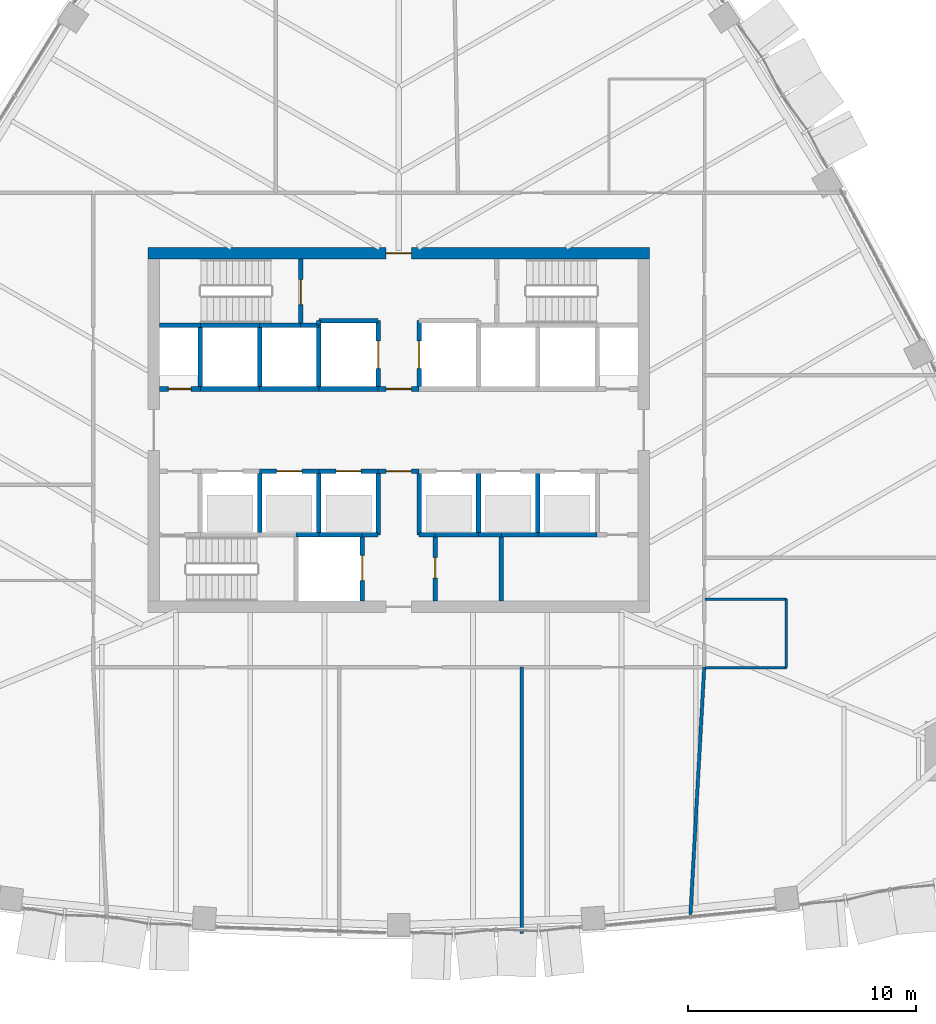
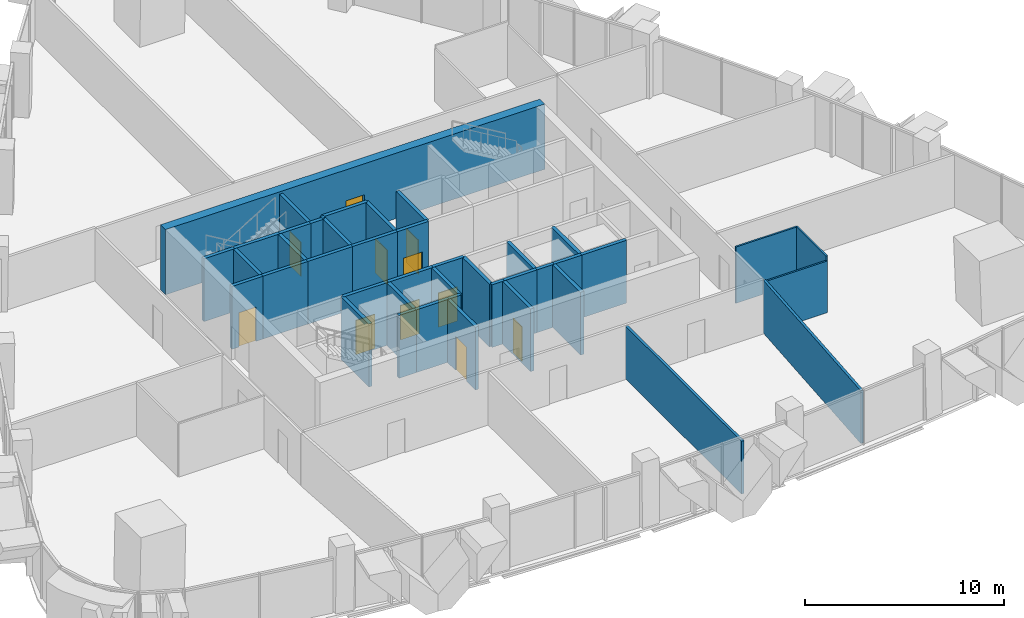
# One storey, part 11 of 17: 43 walls, 11 doors, 11 openings.
"""IFC4 building model written with IfcOpenShell, lengths in metres."""

from ifc_helpers import new_model, si_unit, direction, frame, frame_2d, origin, place, context, subcontext, project, spatial, rectangle, extrude, material, layer, layer_set, type_object, element, fill, save


model = new_model("IFC4")

# Units and contexts
model_context = context("Model", 3, precision=1e-05, world=origin(), true_north=direction((0.0, 1.0)))
body_context = subcontext(model_context, "Body", "Model", "MODEL_VIEW")
ifc_project = project(units=[si_unit("LENGTHUNIT", "METRE"), si_unit("AREAUNIT", "SQUARE_METRE"), si_unit("VOLUMEUNIT", "CUBIC_METRE"), si_unit("PLANEANGLEUNIT", "RADIAN"), si_unit("MASSUNIT", "GRAM", prefix="KILO")], contexts=[model_context])

# Site, building, storey
site_placement = place(None, origin())
site = spatial("IfcSite", under=ifc_project, at=site_placement, CompositionType="ELEMENT")
building_placement = place(site_placement, origin())
building = spatial("IfcBuilding", under=site, at=building_placement, Name="Sierra Prisma Convention Tower", CompositionType="ELEMENT")
storey_placement = place(building_placement, frame((0.0, 0.0, 149.800048828125)))
storey = spatial("IfcBuildingStorey", under=building, at=storey_placement, Name="L32", CompositionType="ELEMENT", Elevation=149.800048828125)

# Walls
ifc_material_1 = material(Name="Gypsum board partition", Category="gypsum")
ifc_layer_1 = layer(ifc_material_1, 0.10009765625)
ifc_layer_set_1 = layer_set([ifc_layer_1], Name="Bathroom partition 100")
wall_type_1 = type_object("IfcWallType", Name="Bathroom partition 100", PredefinedType="PARTITIONING", material=ifc_layer_set_1)
wall_1_placement = place(storey_placement, frame((13.429931640625, -7.419921875, 0.0), z_axis=(0.0, 0.0, 1.0), x_axis=(1.0, 0.0, 0.0)))
element("IfcWall", 1, at=wall_1_placement, inside=storey, type_object=wall_type_1, Name="Partition L32 bath 6", PredefinedType="PARTITIONING", context=body_context, shape_type="SweptSolid", body=[
    extrude(rectangle(XDim=3.570068359375, YDim=0.10009765625, at=frame_2d((1.78515625, 0.0))), origin(), (0.0, 0.0, 1.0), 3.449951171875),
])
wall_2_placement = place(storey_placement, frame((17.0, -7.419921875, 0.0), z_axis=(0.0, 0.0, 1.0), x_axis=(0.0, -1.0, 0.0)))
element("IfcWall", 2, at=wall_2_placement, inside=storey, type_object=wall_type_1, Name="Partition L32 bath 7", PredefinedType="PARTITIONING", context=body_context, shape_type="SweptSolid", body=[
    extrude(rectangle(XDim=3.0, YDim=0.10009765625, at=frame_2d((1.5, 0.0))), origin(), (0.0, 0.0, 1.0), 3.449951171875),
])
wall_3_placement = place(storey_placement, frame((17.0, -10.419921875, 0.0), z_axis=(0.0, 0.0, 1.0), x_axis=(-1.0, 0.0, 0.0)))
element("IfcWall", 3, at=wall_3_placement, inside=storey, type_object=wall_type_1, Name="Partition L32 bath 8", PredefinedType="PARTITIONING", context=body_context, shape_type="SweptSolid", body=[
    extrude(rectangle(XDim=3.570068359375, YDim=0.10009765625, at=frame_2d((1.78515625, 0.0))), origin(), (0.0, 0.0, 1.0), 3.166015625),
])

# Wall, opening, door
ifc_material_2 = material(Name="Concrete C30/37", Category="concrete")
ifc_layer_2 = layer(ifc_material_2, 0.199951171875)
ifc_layer_set_2 = layer_set([ifc_layer_2], Name="Core wall RC 200 C30/37")
wall_type_2 = type_object("IfcWallType", Name="Core wall RC 200 C30/37", PredefinedType="SOLIDWALL", material=ifc_layer_set_2)
wall_4_placement = place(storey_placement, frame((-8.699951171875, 1.800048828125, 0.0), z_axis=(0.0, 0.0, 1.0), x_axis=(-1.0, 0.0, 0.0)))
wall_4 = element("IfcWall", 4, at=wall_4_placement, inside=storey, type_object=wall_type_2, Name="Core wall L32 3", PredefinedType="SOLIDWALL", context=body_context, shape_type="SweptSolid", body=[
    extrude(rectangle(XDim=1.800048828125, YDim=0.199951171875, at=frame_2d((0.89990234375, 0.0))), origin(), (0.0, 0.0, 1.0), 3.849853515625),
])
opening_1_placement = place(wall_4_placement, frame((0.39990234375, 0.0, 0.0)))
opening_1 = element("IfcOpeningElement", 5, at=opening_1_placement, cuts=wall_4, Name="Opening L32-D013", PredefinedType="OPENING", context=body_context, shape_type="SweptSolid", body=[
    extrude(rectangle(XDim=1.0, YDim=2.10009765625, at=frame_2d((0.5, 1.050048828125))), frame((0.0, 0.10009765625, 0.0), z_axis=(0.0, -1.0, 0.0), x_axis=(1.0, 0.0, 0.0)), (0.0, 0.0, 1.0), 0.199951171875),
])
ifc_material_3 = material(Name="Steel fire door leaf", Category="steel")
door_type_1 = type_object("IfcDoorType", Name="Door 1000x2100 FD60S", OperationType="SINGLE_SWING_LEFT", PredefinedType="DOOR", material=ifc_material_3)
door_1_placement = place(opening_1_placement, origin())
door_1 = element("IfcDoor", 6, at=door_1_placement, inside=storey, type_object=door_type_1, Name="Door L32 27", OperationType="SINGLE_SWING_RIGHT", OverallHeight=2.10009765625, OverallWidth=1.0, PredefinedType="DOOR", context=body_context, shape_type="SweptSolid", body=[
    extrude(rectangle(XDim=1.0, YDim=2.10009765625, at=frame_2d((0.5, 1.050048828125))), frame((0.0, 0.02490234375, 0.0), z_axis=(0.0, -1.0, 0.0), x_axis=(1.0, 0.0, 0.0)), (0.0, 0.0, 1.0), 0.050048828125),
])
fill(opening_1, door_1)

# Walls
wall_5_placement = place(storey_placement, frame((-8.699951171875, 4.60009765625, 0.0), z_axis=(0.0, 0.0, 1.0), x_axis=(-1.0, 0.0, 0.0)))
element("IfcWall", 7, at=wall_5_placement, inside=storey, type_object=wall_type_2, Name="Core wall L32 4", PredefinedType="SOLIDWALL", context=body_context, shape_type="SweptSolid", body=[
    extrude(rectangle(XDim=1.800048828125, YDim=0.199951171875, at=frame_2d((0.89990234375, 0.0))), origin(), (0.0, 0.0, 1.0), 3.849853515625),
])
wall_6_placement = place(storey_placement, frame((-6.10009765625, 1.800048828125, 0.0), z_axis=(0.0, 0.0, 1.0), x_axis=(-1.0, 0.0, 0.0)))
element("IfcWall", 8, at=wall_6_placement, inside=storey, type_object=wall_type_2, Name="Core wall L32 8", PredefinedType="SOLIDWALL", context=body_context, shape_type="SweptSolid", body=[
    extrude(rectangle(XDim=2.599853515625, YDim=0.199951171875, at=frame_2d((1.2998046875, 0.0))), origin(), (0.0, 0.0, 1.0), 3.849853515625),
])
wall_7_placement = place(storey_placement, frame((-8.699951171875, 1.800048828125, 0.0), z_axis=(0.0, 0.0, 1.0), x_axis=(0.0, 1.0, 0.0)))
element("IfcWall", 9, at=wall_7_placement, inside=storey, type_object=wall_type_2, Name="Core wall L32 9", PredefinedType="SOLIDWALL", context=body_context, shape_type="SweptSolid", body=[
    extrude(rectangle(XDim=2.800048828125, YDim=0.199951171875, at=frame_2d((1.39990234375, 0.0))), origin(), (0.0, 0.0, 1.0), 3.849853515625),
])
wall_8_placement = place(storey_placement, frame((-6.10009765625, 4.60009765625, 0.0), z_axis=(0.0, 0.0, 1.0), x_axis=(-1.0, 0.0, 0.0)))
element("IfcWall", 10, at=wall_8_placement, inside=storey, type_object=wall_type_2, Name="Core wall L32 10", PredefinedType="SOLIDWALL", context=body_context, shape_type="SweptSolid", body=[
    extrude(rectangle(XDim=2.599853515625, YDim=0.199951171875, at=frame_2d((1.2998046875, 0.0))), origin(), (0.0, 0.0, 1.0), 3.849853515625),
])
wall_9_placement = place(storey_placement, frame((-6.10009765625, -4.60009765625, 0.0), z_axis=(0.0, 0.0, 1.0), x_axis=(0.0, 1.0, 0.0)))
element("IfcWall", 11, at=wall_9_placement, inside=storey, type_object=wall_type_2, Name="Core wall L32 12", PredefinedType="SOLIDWALL", context=body_context, shape_type="SweptSolid", body=[
    extrude(rectangle(XDim=2.800048828125, YDim=0.199951171875, at=frame_2d((1.39990234375, 0.0))), origin(), (0.0, 0.0, 1.0), 3.849853515625),
])

# Wall, opening, door
wall_10_placement = place(storey_placement, frame((-6.10009765625, -1.800048828125, 0.0), z_axis=(0.0, 0.0, 1.0), x_axis=(1.0, 0.0, 0.0)))
wall_10 = element("IfcWall", 12, at=wall_10_placement, inside=storey, type_object=wall_type_2, Name="Core wall L32 13", PredefinedType="SOLIDWALL", context=body_context, shape_type="SweptSolid", body=[
    extrude(rectangle(XDim=2.60009765625, YDim=0.199951171875, at=frame_2d((1.300048828125, 0.0))), origin(), (0.0, 0.0, 1.0), 3.849853515625),
])
opening_2_placement = place(wall_10_placement, frame((0.75, 0.0, 0.0)))
opening_2 = element("IfcOpeningElement", 13, at=opening_2_placement, cuts=wall_10, Name="Opening L32-D002", PredefinedType="OPENING", context=body_context, shape_type="SweptSolid", body=[
    extrude(rectangle(XDim=1.10009765625, YDim=2.10009765625, at=frame_2d((0.550048828125, 1.050048828125))), frame((0.0, 0.10009765625, 0.0), z_axis=(0.0, -1.0, 0.0), x_axis=(1.0, 0.0, 0.0)), (0.0, 0.0, 1.0), 0.199951171875),
])
ifc_material_4 = material(Name="Steel fire door leaf", Category="steel")
door_type_2 = type_object("IfcDoorType", Name="Door 1100x2100 EI 90 sliding lift landing", OperationType="SLIDING_TO_LEFT", PredefinedType="DOOR", material=ifc_material_4)
door_2_placement = place(opening_2_placement, origin())
door_2 = element("IfcDoor", 14, at=door_2_placement, inside=storey, type_object=door_type_2, Name="Door L32 16", OperationType="SLIDING_TO_LEFT", OverallHeight=2.10009765625, OverallWidth=1.10009765625, PredefinedType="DOOR", context=body_context, shape_type="SweptSolid", body=[
    extrude(rectangle(XDim=1.10009765625, YDim=2.10009765625, at=frame_2d((0.550048828125, 1.050048828125))), frame((0.0, 0.02490234375, 0.0), z_axis=(0.0, -1.0, 0.0), x_axis=(1.0, 0.0, 0.0)), (0.0, 0.0, 1.0), 0.050048828125),
])
fill(opening_2, door_2)

# Walls
wall_11_placement = place(storey_placement, frame((-3.5, 1.800048828125, 0.0), z_axis=(0.0, 0.0, 1.0), x_axis=(-1.0, 0.0, 0.0)))
element("IfcWall", 15, at=wall_11_placement, inside=storey, type_object=wall_type_2, Name="Core wall L32 14", PredefinedType="SOLIDWALL", context=body_context, shape_type="SweptSolid", body=[
    extrude(rectangle(XDim=2.60009765625, YDim=0.199951171875, at=frame_2d((1.300048828125, 0.0))), origin(), (0.0, 0.0, 1.0), 3.849853515625),
])
wall_12_placement = place(storey_placement, frame((-6.10009765625, 1.800048828125, 0.0), z_axis=(0.0, 0.0, 1.0), x_axis=(0.0, 1.0, 0.0)))
element("IfcWall", 16, at=wall_12_placement, inside=storey, type_object=wall_type_2, Name="Core wall L32 15", PredefinedType="SOLIDWALL", context=body_context, shape_type="SweptSolid", body=[
    extrude(rectangle(XDim=2.800048828125, YDim=0.199951171875, at=frame_2d((1.39990234375, 0.0))), origin(), (0.0, 0.0, 1.0), 3.849853515625),
])
wall_13_placement = place(storey_placement, frame((-4.300048828125, 4.60009765625, 0.0), z_axis=(0.0, 0.0, 1.0), x_axis=(-1.0, 0.0, 0.0)))
element("IfcWall", 17, at=wall_13_placement, inside=storey, type_object=wall_type_2, Name="Core wall L32 16", PredefinedType="SOLIDWALL", context=body_context, shape_type="SweptSolid", body=[
    extrude(rectangle(XDim=1.800048828125, YDim=0.199951171875, at=frame_2d((0.89990234375, 0.0))), origin(), (0.0, 0.0, 1.0), 3.849853515625),
])
wall_14_placement = place(storey_placement, frame((-4.5, -4.60009765625, 0.0), z_axis=(0.0, 0.0, 1.0), x_axis=(1.0, 0.0, 0.0)))
element("IfcWall", 18, at=wall_14_placement, inside=storey, type_object=wall_type_2, Name="Core wall L32 18", PredefinedType="SOLIDWALL", context=body_context, shape_type="SweptSolid", body=[
    extrude(rectangle(XDim=1.0, YDim=0.199951171875, at=frame_2d((0.5, 0.0))), origin(), (0.0, 0.0, 1.0), 3.849853515625),
])
wall_15_placement = place(storey_placement, frame((-3.5, 4.60009765625, 0.0), z_axis=(0.0, 0.0, 1.0), x_axis=(-1.0, 0.0, 0.0)))
element("IfcWall", 19, at=wall_15_placement, inside=storey, type_object=wall_type_2, Name="Core wall L32 19", PredefinedType="SOLIDWALL", context=body_context, shape_type="SweptSolid", body=[
    extrude(rectangle(XDim=0.800048828125, YDim=0.199951171875, at=frame_2d((0.39990234375, 0.0))), origin(), (0.0, 0.0, 1.0), 3.849853515625),
])

# Wall, opening, door
wall_16_placement = place(storey_placement, frame((-4.300048828125, 4.60009765625, 0.0), z_axis=(0.0, 0.0, 1.0), x_axis=(0.0, 1.0, 0.0)))
wall_16 = element("IfcWall", 20, at=wall_16_placement, inside=storey, type_object=wall_type_2, Name="Core wall L32 20", PredefinedType="SOLIDWALL", context=body_context, shape_type="SweptSolid", body=[
    extrude(rectangle(XDim=2.89990234375, YDim=0.199951171875, at=frame_2d((1.449951171875, 0.0))), origin(), (0.0, 0.0, 1.0), 3.849853515625),
])
opening_3_placement = place(wall_16_placement, frame((0.89990234375, 0.0, 0.0)))
opening_3 = element("IfcOpeningElement", 21, at=opening_3_placement, cuts=wall_16, Name="Opening L32-D016", PredefinedType="OPENING", context=body_context, shape_type="SweptSolid", body=[
    extrude(rectangle(XDim=1.10009765625, YDim=2.10009765625, at=frame_2d((0.550048828125, 1.050048828125))), frame((0.0, 0.10009765625, 0.0), z_axis=(0.0, -1.0, 0.0), x_axis=(1.0, 0.0, 0.0)), (0.0, 0.0, 1.0), 0.199951171875),
])
ifc_material_5 = material(Name="Steel fire door leaf", Category="steel")
door_type_3 = type_object("IfcDoorType", Name="Door 1100x2100 FD90S", OperationType="SINGLE_SWING_LEFT", PredefinedType="DOOR", material=ifc_material_5)
door_3_placement = place(opening_3_placement, origin())
door_3 = element("IfcDoor", 22, at=door_3_placement, inside=storey, type_object=door_type_3, Name="Door L32 30", OperationType="SINGLE_SWING_LEFT", OverallHeight=2.10009765625, OverallWidth=1.10009765625, PredefinedType="DOOR", context=body_context, shape_type="SweptSolid", body=[
    extrude(rectangle(XDim=1.10009765625, YDim=2.10009765625, at=frame_2d((0.550048828125, 1.050048828125))), frame((0.0, 0.02490234375, 0.0), z_axis=(0.0, -1.0, 0.0), x_axis=(1.0, 0.0, 0.0)), (0.0, 0.0, 1.0), 0.050048828125),
])
fill(opening_3, door_3)

# Walls
wall_17_placement = place(storey_placement, frame((-3.5, -4.60009765625, 0.0), z_axis=(0.0, 0.0, 1.0), x_axis=(1.0, 0.0, 0.0)))
element("IfcWall", 23, at=wall_17_placement, inside=storey, type_object=wall_type_2, Name="Core wall L32 21", PredefinedType="SOLIDWALL", context=body_context, shape_type="SweptSolid", body=[
    extrude(rectangle(XDim=1.89990234375, YDim=0.199951171875, at=frame_2d((0.949951171875, 0.0))), origin(), (0.0, 0.0, 1.0), 3.849853515625),
])
wall_18_placement = place(storey_placement, frame((-3.5, -4.60009765625, 0.0), z_axis=(0.0, 0.0, 1.0), x_axis=(0.0, 1.0, 0.0)))
element("IfcWall", 24, at=wall_18_placement, inside=storey, type_object=wall_type_2, Name="Core wall L32 22", PredefinedType="SOLIDWALL", context=body_context, shape_type="SweptSolid", body=[
    extrude(rectangle(XDim=2.800048828125, YDim=0.199951171875, at=frame_2d((1.39990234375, 0.0))), origin(), (0.0, 0.0, 1.0), 3.849853515625),
])

# Wall, opening, door
wall_19_placement = place(storey_placement, frame((-3.5, -1.800048828125, 0.0), z_axis=(0.0, 0.0, 1.0), x_axis=(1.0, 0.0, 0.0)))
wall_19 = element("IfcWall", 25, at=wall_19_placement, inside=storey, type_object=wall_type_2, Name="Core wall L32 23", PredefinedType="SOLIDWALL", context=body_context, shape_type="SweptSolid", body=[
    extrude(rectangle(XDim=2.60009765625, YDim=0.199951171875, at=frame_2d((1.300048828125, 0.0))), origin(), (0.0, 0.0, 1.0), 3.849853515625),
])
opening_4_placement = place(wall_19_placement, frame((0.75, 0.0, 0.0)))
opening_4 = element("IfcOpeningElement", 26, at=opening_4_placement, cuts=wall_19, Name="Opening L32-D003", PredefinedType="OPENING", context=body_context, shape_type="SweptSolid", body=[
    extrude(rectangle(XDim=1.10009765625, YDim=2.10009765625, at=frame_2d((0.550048828125, 1.050048828125))), frame((0.0, 0.10009765625, 0.0), z_axis=(0.0, -1.0, 0.0), x_axis=(1.0, 0.0, 0.0)), (0.0, 0.0, 1.0), 0.199951171875),
])
door_4_placement = place(opening_4_placement, origin())
door_4 = element("IfcDoor", 27, at=door_4_placement, inside=storey, type_object=door_type_2, Name="Door L32 17", OperationType="SLIDING_TO_LEFT", OverallHeight=2.10009765625, OverallWidth=1.10009765625, PredefinedType="DOOR", context=body_context, shape_type="SweptSolid", body=[
    extrude(rectangle(XDim=1.10009765625, YDim=2.10009765625, at=frame_2d((0.550048828125, 1.050048828125))), frame((0.0, 0.02490234375, 0.0), z_axis=(0.0, -1.0, 0.0), x_axis=(1.0, 0.0, 0.0)), (0.0, 0.0, 1.0), 0.050048828125),
])
fill(opening_4, door_4)

# Walls
wall_20_placement = place(storey_placement, frame((-0.89990234375, 1.800048828125, 0.0), z_axis=(0.0, 0.0, 1.0), x_axis=(-1.0, 0.0, 0.0)))
element("IfcWall", 28, at=wall_20_placement, inside=storey, type_object=wall_type_2, Name="Core wall L32 24", PredefinedType="SOLIDWALL", context=body_context, shape_type="SweptSolid", body=[
    extrude(rectangle(XDim=2.60009765625, YDim=0.199951171875, at=frame_2d((1.300048828125, 0.0))), origin(), (0.0, 0.0, 1.0), 3.849853515625),
])
wall_21_placement = place(storey_placement, frame((-3.5, 4.60009765625, 0.0), z_axis=(0.0, 0.0, 1.0), x_axis=(0.0, -1.0, 0.0)))
element("IfcWall", 29, at=wall_21_placement, inside=storey, type_object=wall_type_2, Name="Core wall L32 25", PredefinedType="SOLIDWALL", context=body_context, shape_type="SweptSolid", body=[
    extrude(rectangle(XDim=2.800048828125, YDim=0.199951171875, at=frame_2d((1.39990234375, 0.0))), origin(), (0.0, 0.0, 1.0), 3.849853515625),
])

# Wall, opening, door
wall_22_placement = place(storey_placement, frame((-0.89990234375, 1.800048828125, 0.0), z_axis=(0.0, 0.0, 1.0), x_axis=(0.0, 1.0, 0.0)))
wall_22 = element("IfcWall", 30, at=wall_22_placement, inside=storey, type_object=wall_type_2, Name="Core wall L32 26", PredefinedType="SOLIDWALL", context=body_context, shape_type="SweptSolid", body=[
    extrude(rectangle(XDim=3.0, YDim=0.199951171875, at=frame_2d((1.5, 0.0))), origin(), (0.0, 0.0, 1.0), 3.849853515625),
])
opening_5_placement = place(wall_22_placement, frame((0.89990234375, 0.0, 0.0)))
opening_5 = element("IfcOpeningElement", 31, at=opening_5_placement, cuts=wall_22, Name="Opening L32-D007", PredefinedType="OPENING", context=body_context, shape_type="SweptSolid", body=[
    extrude(rectangle(XDim=1.199951171875, YDim=2.10009765625, at=frame_2d((0.60009765625, 1.050048828125))), frame((0.0, 0.10009765625, 0.0), z_axis=(0.0, -1.0, 0.0), x_axis=(1.0, 0.0, 0.0)), (0.0, 0.0, 1.0), 0.199951171875),
])
ifc_material_6 = material(Name="Steel fire door leaf", Category="steel")
door_type_4 = type_object("IfcDoorType", Name="Door 1200x2100 EI 90 sliding lift landing", OperationType="SLIDING_TO_LEFT", PredefinedType="DOOR", material=ifc_material_6)
door_5_placement = place(opening_5_placement, origin())
door_5 = element("IfcDoor", 32, at=door_5_placement, inside=storey, type_object=door_type_4, Name="Door L32 21", OperationType="SLIDING_TO_RIGHT", OverallHeight=2.10009765625, OverallWidth=1.199951171875, PredefinedType="DOOR", context=body_context, shape_type="SweptSolid", body=[
    extrude(rectangle(XDim=1.199951171875, YDim=2.10009765625, at=frame_2d((0.60009765625, 1.050048828125))), frame((0.0, 0.02490234375, 0.0), z_axis=(0.0, -1.0, 0.0), x_axis=(1.0, 0.0, 0.0)), (0.0, 0.0, 1.0), 0.050048828125),
])
fill(opening_5, door_5)

# Walls
wall_23_placement = place(storey_placement, frame((-0.89990234375, 4.800048828125, 0.0), z_axis=(0.0, 0.0, 1.0), x_axis=(-1.0, 0.0, 0.0)))
element("IfcWall", 33, at=wall_23_placement, inside=storey, type_object=wall_type_2, Name="Core wall L32 27", PredefinedType="SOLIDWALL", context=body_context, shape_type="SweptSolid", body=[
    extrude(rectangle(XDim=2.60009765625, YDim=0.199951171875, at=frame_2d((1.300048828125, 0.0))), origin(), (0.0, 0.0, 1.0), 3.849853515625),
])
wall_24_placement = place(storey_placement, frame((-3.5, 4.800048828125, 0.0), z_axis=(0.0, 0.0, 1.0), x_axis=(0.0, -1.0, 0.0)))
element("IfcWall", 34, at=wall_24_placement, inside=storey, type_object=wall_type_2, Name="Core wall L32 28", PredefinedType="SOLIDWALL", context=body_context, shape_type="SweptSolid", body=[
    extrude(rectangle(XDim=0.199951171875, YDim=0.199951171875, at=frame_2d((0.10009765625, 0.0))), origin(), (0.0, 0.0, 1.0), 3.849853515625),
])

# Wall, opening, door
wall_25_placement = place(storey_placement, frame((-1.60009765625, -7.5, 0.0), z_axis=(0.0, 0.0, 1.0), x_axis=(0.0, 1.0, 0.0)))
wall_25 = element("IfcWall", 35, at=wall_25_placement, inside=storey, type_object=wall_type_2, Name="Core wall L32 29", PredefinedType="SOLIDWALL", context=body_context, shape_type="SweptSolid", body=[
    extrude(rectangle(XDim=2.89990234375, YDim=0.199951171875, at=frame_2d((1.449951171875, 0.0))), origin(), (0.0, 0.0, 1.0), 3.849853515625),
])
opening_6_placement = place(wall_25_placement, frame((0.89990234375, 0.0, 0.0)))
opening_6 = element("IfcOpeningElement", 36, at=opening_6_placement, cuts=wall_25, Name="Opening L32-D009", PredefinedType="OPENING", context=body_context, shape_type="SweptSolid", body=[
    extrude(rectangle(XDim=1.10009765625, YDim=2.10009765625, at=frame_2d((0.550048828125, 1.050048828125))), frame((0.0, 0.10009765625, 0.0), z_axis=(0.0, -1.0, 0.0), x_axis=(1.0, 0.0, 0.0)), (0.0, 0.0, 1.0), 0.199951171875),
])
door_6_placement = place(opening_6_placement, origin())
door_6 = element("IfcDoor", 37, at=door_6_placement, inside=storey, type_object=door_type_2, Name="Door L32 23", OperationType="SLIDING_TO_RIGHT", OverallHeight=2.10009765625, OverallWidth=1.10009765625, PredefinedType="DOOR", context=body_context, shape_type="SweptSolid", body=[
    extrude(rectangle(XDim=1.10009765625, YDim=2.10009765625, at=frame_2d((0.550048828125, 1.050048828125))), frame((0.0, 0.02490234375, 0.0), z_axis=(0.0, -1.0, 0.0), x_axis=(1.0, 0.0, 0.0)), (0.0, 0.0, 1.0), 0.050048828125),
])
fill(opening_6, door_6)

# Walls
wall_26_placement = place(storey_placement, frame((-1.60009765625, -4.60009765625, 0.0), z_axis=(0.0, 0.0, 1.0), x_axis=(1.0, 0.0, 0.0)))
element("IfcWall", 38, at=wall_26_placement, inside=storey, type_object=wall_type_2, Name="Core wall L32 30", PredefinedType="SOLIDWALL", context=body_context, shape_type="SweptSolid", body=[
    extrude(rectangle(XDim=0.7001953125, YDim=0.199951171875, at=frame_2d((0.35009765625, 0.0))), origin(), (0.0, 0.0, 1.0), 3.849853515625),
])
wall_27_placement = place(storey_placement, frame((-0.89990234375, -4.60009765625, 0.0), z_axis=(0.0, 0.0, 1.0), x_axis=(0.0, 1.0, 0.0)))
element("IfcWall", 39, at=wall_27_placement, inside=storey, type_object=wall_type_2, Name="Core wall L32 31", PredefinedType="SOLIDWALL", context=body_context, shape_type="SweptSolid", body=[
    extrude(rectangle(XDim=2.800048828125, YDim=0.199951171875, at=frame_2d((1.39990234375, 0.0))), origin(), (0.0, 0.0, 1.0), 3.849853515625),
])

# Wall, opening, door
wall_28_placement = place(storey_placement, frame((-0.89990234375, -1.800048828125, 0.0), z_axis=(0.0, 0.0, 1.0), x_axis=(1.0, 0.0, 0.0)))
wall_28 = element("IfcWall", 40, at=wall_28_placement, inside=storey, type_object=wall_type_2, Name="Core wall L32 32", PredefinedType="SOLIDWALL", context=body_context, shape_type="SweptSolid", body=[
    extrude(rectangle(XDim=1.7998046875, YDim=0.199951171875, at=frame_2d((0.89990234375, 0.0))), origin(), (0.0, 0.0, 1.0), 3.849853515625),
])
opening_7_placement = place(wall_28_placement, frame((0.35009765625, 0.0, 0.0)))
opening_7 = element("IfcOpeningElement", 41, at=opening_7_placement, cuts=wall_28, Name="Opening L32-D012", PredefinedType="OPENING", context=body_context, shape_type="SweptSolid", body=[
    extrude(rectangle(XDim=1.10009765625, YDim=2.10009765625, at=frame_2d((0.550048828125, 1.050048828125))), frame((0.0, 0.10009765625, 0.0), z_axis=(0.0, -1.0, 0.0), x_axis=(1.0, 0.0, 0.0)), (0.0, 0.0, 1.0), 0.199951171875),
])
ifc_material_7 = material(Name="Steel fire door leaf", Category="steel")
door_type_5 = type_object("IfcDoorType", Name="Door 1100x2100 FD30S", OperationType="SINGLE_SWING_LEFT", PredefinedType="DOOR", material=ifc_material_7)
door_7_placement = place(opening_7_placement, origin())
door_7 = element("IfcDoor", 42, at=door_7_placement, inside=storey, type_object=door_type_5, Name="Door L32 26", OperationType="SINGLE_SWING_LEFT", OverallHeight=2.10009765625, OverallWidth=1.10009765625, PredefinedType="DOOR", context=body_context, shape_type="SweptSolid", body=[
    extrude(rectangle(XDim=1.10009765625, YDim=2.10009765625, at=frame_2d((0.550048828125, 1.050048828125))), frame((0.0, 0.02490234375, 0.0), z_axis=(0.0, -1.0, 0.0), x_axis=(1.0, 0.0, 0.0)), (0.0, 0.0, 1.0), 0.050048828125),
])
fill(opening_7, door_7)

wall_29_placement = place(storey_placement, frame((0.89990234375, 1.800048828125, 0.0), z_axis=(0.0, 0.0, 1.0), x_axis=(-1.0, 0.0, 0.0)))
wall_29 = element("IfcWall", 43, at=wall_29_placement, inside=storey, type_object=wall_type_2, Name="Core wall L32 33", PredefinedType="SOLIDWALL", context=body_context, shape_type="SweptSolid", body=[
    extrude(rectangle(XDim=1.7998046875, YDim=0.199951171875, at=frame_2d((0.89990234375, 0.0))), origin(), (0.0, 0.0, 1.0), 3.849853515625),
])
opening_8_placement = place(wall_29_placement, frame((0.35009765625, 0.0, 0.0)))
opening_8 = element("IfcOpeningElement", 44, at=opening_8_placement, cuts=wall_29, Name="Opening L32-D011", PredefinedType="OPENING", context=body_context, shape_type="SweptSolid", body=[
    extrude(rectangle(XDim=1.10009765625, YDim=2.10009765625, at=frame_2d((0.550048828125, 1.050048828125))), frame((0.0, 0.10009765625, 0.0), z_axis=(0.0, -1.0, 0.0), x_axis=(1.0, 0.0, 0.0)), (0.0, 0.0, 1.0), 0.199951171875),
])
ifc_material_8 = material(Name="Steel fire door leaf", Category="steel")
door_type_6 = type_object("IfcDoorType", Name="Door 1100x2100 FD60S", OperationType="SINGLE_SWING_LEFT", PredefinedType="DOOR", material=ifc_material_8)
door_8_placement = place(opening_8_placement, origin())
door_8 = element("IfcDoor", 45, at=door_8_placement, inside=storey, type_object=door_type_6, Name="Door L32 25", OperationType="SINGLE_SWING_LEFT", OverallHeight=2.10009765625, OverallWidth=1.10009765625, PredefinedType="DOOR", context=body_context, shape_type="SweptSolid", body=[
    extrude(rectangle(XDim=1.10009765625, YDim=2.10009765625, at=frame_2d((0.550048828125, 1.050048828125))), frame((0.0, 0.02490234375, 0.0), z_axis=(0.0, -1.0, 0.0), x_axis=(1.0, 0.0, 0.0)), (0.0, 0.0, 1.0), 0.050048828125),
])
fill(opening_8, door_8)

# Walls
wall_30_placement = place(storey_placement, frame((0.89990234375, -1.800048828125, 0.0), z_axis=(0.0, 0.0, 1.0), x_axis=(0.0, -1.0, 0.0)))
element("IfcWall", 46, at=wall_30_placement, inside=storey, type_object=wall_type_2, Name="Core wall L32 35", PredefinedType="SOLIDWALL", context=body_context, shape_type="SweptSolid", body=[
    extrude(rectangle(XDim=2.800048828125, YDim=0.199951171875, at=frame_2d((1.39990234375, 0.0))), origin(), (0.0, 0.0, 1.0), 3.849853515625),
])
wall_31_placement = place(storey_placement, frame((0.89990234375, -4.60009765625, 0.0), z_axis=(0.0, 0.0, 1.0), x_axis=(1.0, 0.0, 0.0)))
element("IfcWall", 47, at=wall_31_placement, inside=storey, type_object=wall_type_2, Name="Core wall L32 36", PredefinedType="SOLIDWALL", context=body_context, shape_type="SweptSolid", body=[
    extrude(rectangle(XDim=0.7001953125, YDim=0.199951171875, at=frame_2d((0.35009765625, 0.0))), origin(), (0.0, 0.0, 1.0), 3.849853515625),
])

# Wall, opening, door
wall_32_placement = place(storey_placement, frame((0.89990234375, 4.800048828125, 0.0), z_axis=(0.0, 0.0, 1.0), x_axis=(0.0, -1.0, 0.0)))
wall_32 = element("IfcWall", 48, at=wall_32_placement, inside=storey, type_object=wall_type_2, Name="Core wall L32 40", PredefinedType="SOLIDWALL", context=body_context, shape_type="SweptSolid", body=[
    extrude(rectangle(XDim=3.0, YDim=0.199951171875, at=frame_2d((1.5, 0.0))), origin(), (0.0, 0.0, 1.0), 3.849853515625),
])
opening_9_placement = place(wall_32_placement, frame((0.89990234375, 0.0, 0.0)))
opening_9 = element("IfcOpeningElement", 49, at=opening_9_placement, cuts=wall_32, Name="Opening L32-D008", PredefinedType="OPENING", context=body_context, shape_type="SweptSolid", body=[
    extrude(rectangle(XDim=1.199951171875, YDim=2.10009765625, at=frame_2d((0.60009765625, 1.050048828125))), frame((0.0, 0.10009765625, 0.0), z_axis=(0.0, -1.0, 0.0), x_axis=(1.0, 0.0, 0.0)), (0.0, 0.0, 1.0), 0.199951171875),
])
door_9_placement = place(opening_9_placement, origin())
door_9 = element("IfcDoor", 50, at=door_9_placement, inside=storey, type_object=door_type_4, Name="Door L32 22", OperationType="SLIDING_TO_RIGHT", OverallHeight=2.10009765625, OverallWidth=1.199951171875, PredefinedType="DOOR", context=body_context, shape_type="SweptSolid", body=[
    extrude(rectangle(XDim=1.199951171875, YDim=2.10009765625, at=frame_2d((0.60009765625, 1.050048828125))), frame((0.0, 0.02490234375, 0.0), z_axis=(0.0, -1.0, 0.0), x_axis=(1.0, 0.0, 0.0)), (0.0, 0.0, 1.0), 0.050048828125),
])
fill(opening_9, door_9)

wall_33_placement = place(storey_placement, frame((1.60009765625, -4.60009765625, 0.0), z_axis=(0.0, 0.0, 1.0), x_axis=(0.0, -1.0, 0.0)))
wall_33 = element("IfcWall", 51, at=wall_33_placement, inside=storey, type_object=wall_type_2, Name="Core wall L32 41", PredefinedType="SOLIDWALL", context=body_context, shape_type="SweptSolid", body=[
    extrude(rectangle(XDim=2.89990234375, YDim=0.199951171875, at=frame_2d((1.449951171875, 0.0))), origin(), (0.0, 0.0, 1.0), 3.849853515625),
])
opening_10_placement = place(wall_33_placement, frame((1.0, 0.0, 0.0)))
opening_10 = element("IfcOpeningElement", 52, at=opening_10_placement, cuts=wall_33, Name="Opening L32-D020", PredefinedType="OPENING", context=body_context, shape_type="SweptSolid", body=[
    extrude(rectangle(XDim=0.89990234375, YDim=2.10009765625, at=frame_2d((0.449951171875, 1.050048828125))), frame((0.0, 0.10009765625, 0.0), z_axis=(0.0, -1.0, 0.0), x_axis=(1.0, 0.0, 0.0)), (0.0, 0.0, 1.0), 0.199951171875),
])
ifc_material_9 = material(Name="Steel fire door leaf", Category="steel")
door_type_7 = type_object("IfcDoorType", Name="Door 900x2100 FD30S", OperationType="SINGLE_SWING_LEFT", PredefinedType="DOOR", material=ifc_material_9)
door_10_placement = place(opening_10_placement, origin())
door_10 = element("IfcDoor", 53, at=door_10_placement, inside=storey, type_object=door_type_7, Name="Door L32 34", OperationType="SINGLE_SWING_RIGHT", OverallHeight=2.10009765625, OverallWidth=0.89990234375, PredefinedType="DOOR", context=body_context, shape_type="SweptSolid", body=[
    extrude(rectangle(XDim=0.89990234375, YDim=2.10009765625, at=frame_2d((0.449951171875, 1.050048828125))), frame((0.0, 0.02490234375, 0.0), z_axis=(0.0, -1.0, 0.0), x_axis=(1.0, 0.0, 0.0)), (0.0, 0.0, 1.0), 0.050048828125),
])
fill(opening_10, door_10)

# Walls
wall_34_placement = place(storey_placement, frame((3.5, -4.60009765625, 0.0), z_axis=(0.0, 0.0, 1.0), x_axis=(-1.0, 0.0, 0.0)))
element("IfcWall", 54, at=wall_34_placement, inside=storey, type_object=wall_type_2, Name="Core wall L32 42", PredefinedType="SOLIDWALL", context=body_context, shape_type="SweptSolid", body=[
    extrude(rectangle(XDim=1.89990234375, YDim=0.199951171875, at=frame_2d((0.949951171875, 0.0))), origin(), (0.0, 0.0, 1.0), 3.849853515625),
])
wall_35_placement = place(storey_placement, frame((4.5, -4.60009765625, 0.0), z_axis=(0.0, 0.0, 1.0), x_axis=(-1.0, 0.0, 0.0)))
element("IfcWall", 55, at=wall_35_placement, inside=storey, type_object=wall_type_2, Name="Core wall L32 43", PredefinedType="SOLIDWALL", context=body_context, shape_type="SweptSolid", body=[
    extrude(rectangle(XDim=1.0, YDim=0.199951171875, at=frame_2d((0.5, 0.0))), origin(), (0.0, 0.0, 1.0), 3.849853515625),
])
wall_36_placement = place(storey_placement, frame((3.5, -4.60009765625, 0.0), z_axis=(0.0, 0.0, 1.0), x_axis=(0.0, 1.0, 0.0)))
element("IfcWall", 56, at=wall_36_placement, inside=storey, type_object=wall_type_2, Name="Core wall L32 44", PredefinedType="SOLIDWALL", context=body_context, shape_type="SweptSolid", body=[
    extrude(rectangle(XDim=2.800048828125, YDim=0.199951171875, at=frame_2d((1.39990234375, 0.0))), origin(), (0.0, 0.0, 1.0), 3.849853515625),
])
wall_37_placement = place(storey_placement, frame((4.5, -4.60009765625, 0.0), z_axis=(0.0, 0.0, 1.0), x_axis=(0.0, -1.0, 0.0)))
element("IfcWall", 57, at=wall_37_placement, inside=storey, type_object=wall_type_2, Name="Core wall L32 51", PredefinedType="SOLIDWALL", context=body_context, shape_type="SweptSolid", body=[
    extrude(rectangle(XDim=2.89990234375, YDim=0.199951171875, at=frame_2d((1.449951171875, 0.0))), origin(), (0.0, 0.0, 1.0), 3.849853515625),
])
wall_38_placement = place(storey_placement, frame((6.10009765625, -4.60009765625, 0.0), z_axis=(0.0, 0.0, 1.0), x_axis=(-1.0, 0.0, 0.0)))
element("IfcWall", 58, at=wall_38_placement, inside=storey, type_object=wall_type_2, Name="Core wall L32 52", PredefinedType="SOLIDWALL", context=body_context, shape_type="SweptSolid", body=[
    extrude(rectangle(XDim=1.60009765625, YDim=0.199951171875, at=frame_2d((0.800048828125, 0.0))), origin(), (0.0, 0.0, 1.0), 3.849853515625),
])
wall_39_placement = place(storey_placement, frame((8.699951171875, -4.60009765625, 0.0), z_axis=(0.0, 0.0, 1.0), x_axis=(-1.0, 0.0, 0.0)))
element("IfcWall", 59, at=wall_39_placement, inside=storey, type_object=wall_type_2, Name="Core wall L32 53", PredefinedType="SOLIDWALL", context=body_context, shape_type="SweptSolid", body=[
    extrude(rectangle(XDim=2.599853515625, YDim=0.199951171875, at=frame_2d((1.2998046875, 0.0))), origin(), (0.0, 0.0, 1.0), 3.849853515625),
])
wall_40_placement = place(storey_placement, frame((6.10009765625, -4.60009765625, 0.0), z_axis=(0.0, 0.0, 1.0), x_axis=(0.0, 1.0, 0.0)))
element("IfcWall", 60, at=wall_40_placement, inside=storey, type_object=wall_type_2, Name="Core wall L32 54", PredefinedType="SOLIDWALL", context=body_context, shape_type="SweptSolid", body=[
    extrude(rectangle(XDim=2.800048828125, YDim=0.199951171875, at=frame_2d((1.39990234375, 0.0))), origin(), (0.0, 0.0, 1.0), 3.849853515625),
])

# Wall, opening, door
ifc_material_10 = material(Name="Concrete C60/75", Category="concrete")
ifc_layer_3 = layer(ifc_material_10, 0.5)
ifc_layer_set_3 = layer_set([ifc_layer_3], Name="Core wall RC 500 C60/75")
wall_type_3 = type_object("IfcWallType", Name="Core wall RC 500 C60/75", PredefinedType="SHEAR", material=ifc_layer_set_3)
wall_41_placement = place(storey_placement, frame((-11.0, 7.75, 0.0), z_axis=(0.0, 0.0, 1.0), x_axis=(1.0, 0.0, 0.0)))
wall_41 = element("IfcWall", 61, at=wall_41_placement, inside=storey, type_object=wall_type_3, Name="Core wall N L32", PredefinedType="SHEAR", context=body_context, shape_type="SweptSolid", body=[
    extrude(rectangle(XDim=22.0, YDim=0.5, at=frame_2d((11.0, 0.0))), origin(), (0.0, 0.0, 1.0), 4.0),
])
opening_11_placement = place(wall_41_placement, frame((10.449951171875, 0.0, 0.0)))
opening_11 = element("IfcOpeningElement", 62, at=opening_11_placement, cuts=wall_41, Name="Opening L32-D036", PredefinedType="OPENING", context=body_context, shape_type="SweptSolid", body=[
    extrude(rectangle(XDim=1.10009765625, YDim=2.10009765625, at=frame_2d((0.550048828125, 1.050048828125))), frame((0.0, 0.25, 0.0), z_axis=(0.0, -1.0, 0.0), x_axis=(1.0, 0.0, 0.0)), (0.0, 0.0, 1.0), 0.5),
])
door_11_placement = place(opening_11_placement, origin())
door_11 = element("IfcDoor", 63, at=door_11_placement, inside=storey, type_object=door_type_6, Name="Door L32 37", OperationType="SINGLE_SWING_LEFT", OverallHeight=2.10009765625, OverallWidth=1.10009765625, PredefinedType="DOOR", context=body_context, shape_type="SweptSolid", body=[
    extrude(rectangle(XDim=1.10009765625, YDim=2.10009765625, at=frame_2d((0.550048828125, 1.050048828125))), frame((0.0, 0.02490234375, 0.0), z_axis=(0.0, -1.0, 0.0), x_axis=(1.0, 0.0, 0.0)), (0.0, 0.0, 1.0), 0.050048828125),
])
fill(opening_11, door_11)

# Walls
ifc_material_11 = material(Name="Gypsum board partition", Category="gypsum")
ifc_layer_4 = layer(ifc_material_11, 0.14990234375)
ifc_layer_set_4 = layer_set([ifc_layer_4], Name="Party wall 150 gypsum")
wall_type_4 = type_object("IfcWallType", Name="Party wall 150 gypsum", PredefinedType="PARTITIONING", material=ifc_layer_set_4)
wall_42_placement = place(storey_placement, frame((5.39990234375, -10.39990234375, 0.0), z_axis=(0.0, 0.0, 1.0), x_axis=(0.0, -1.0, 0.0)))
element("IfcWall", 64, at=wall_42_placement, inside=storey, type_object=wall_type_4, Name="Partition L32 party 7", PredefinedType="PARTITIONING", context=body_context, shape_type="SweptSolid", body=[
    extrude(rectangle(XDim=11.67431640625, YDim=0.14990234375, at=frame_2d((5.837158203125, 0.0))), origin(), (0.0, 0.0, 1.0), 3.23388671875),
])
wall_43_placement = place(storey_placement, frame((13.39990234375, -10.39990234375, 0.0), z_axis=(0.0, 0.0, 1.0), x_axis=(-0.055628111687, -0.998451557758, 0.0)))
element("IfcWall", 65, at=wall_43_placement, inside=storey, type_object=wall_type_4, Name="Partition L32 party 8", PredefinedType="PARTITIONING", context=body_context, shape_type="SweptSolid", body=[
    extrude(rectangle(XDim=10.8623046875, YDim=0.14990234375, at=frame_2d((5.43115234375, 0.0))), origin(), (0.0, 0.0, 1.0), 3.23388671875),
])

save(model, "model.ifc")
